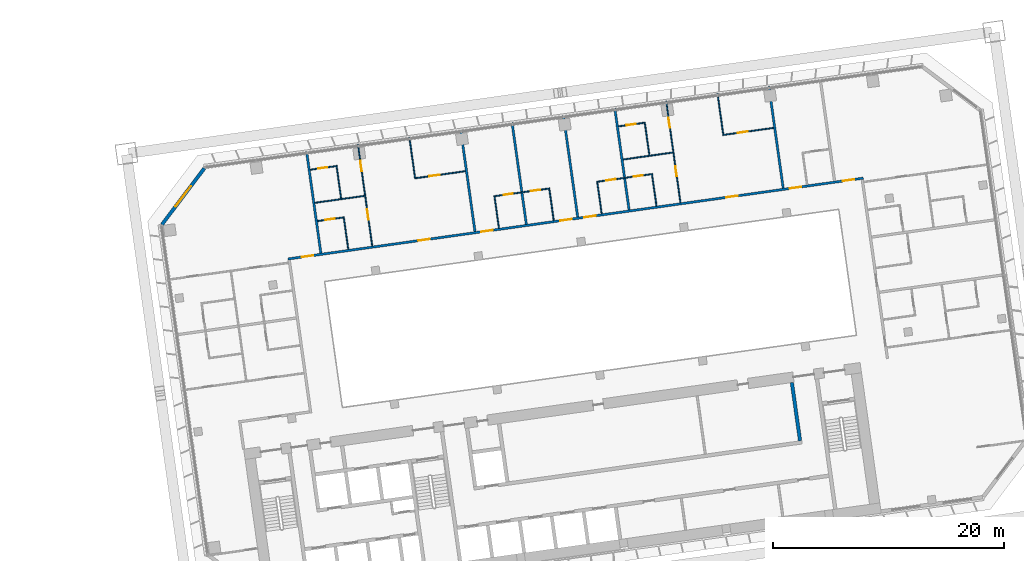
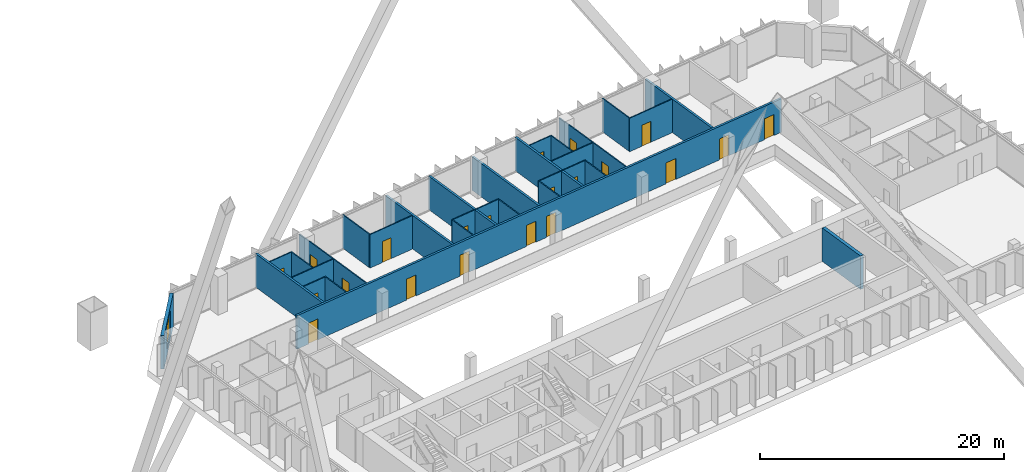
# One storey, part 45 of 49: 29 walls, 21 doors, 1 window, 22 openings.
"""IFC4 building model written with IfcOpenShell, lengths in metres."""

import ifcopenshell
import ifcopenshell.guid

model = None  # the IFC model being written
_history = None  # IfcOwnerHistory: only IFC2X3 demands one
_inside = {}  # id of a spatial element -> (the spatial element, [elements in it])
_under = {}  # id of a project, library or spatial element -> (it, [spatial elements below it])
_declared = {}  # id of a project -> (the project, [libraries it declares])
_typed = {}  # id of a type object -> (the type object, [elements of that type])
_made_of = {}  # id of a material, layer set ... -> (it, [elements and type objects made of it])


def new_model(schema):
    """Start an empty IFC model of exactly this schema.

    Asked for "IFC4X3", IfcOpenShell would pick the latest addendum, in which some entities
    have other attributes; the version numbers below select the first issue.
    IFC2X3 requires an IfcOwnerHistory on every rooted entity: one is made here for all.
    """
    global model, _history
    if schema == "IFC4X3":
        model = ifcopenshell.file(schema_version=(4, 3, 0, 0))
    else:
        model = ifcopenshell.file(schema=schema)
    _inside.clear()
    _under.clear()
    _declared.clear()
    _typed.clear()
    _made_of.clear()
    _history = None
    if model.schema == "IFC2X3":
        org = make("IfcOrganization", Name="unknown")
        user = make(
            "IfcPersonAndOrganization",
            ThePerson=make("IfcPerson", FamilyName="unknown"),
            TheOrganization=org,
        )
        app = make(
            "IfcApplication",
            ApplicationDeveloper=org,
            Version="unknown",
            ApplicationFullName="unknown",
            ApplicationIdentifier="unknown",
        )
        _history = make(
            "IfcOwnerHistory",
            OwningUser=user,
            OwningApplication=app,
            ChangeAction="ADDED",
            CreationDate=0,
        )
    return model


def make(cls, **values):
    """One entity of the class cls with the attributes given. An attribute that is None is left unset."""
    return model.create_entity(
        cls, **{name: value for name, value in values.items() if value is not None}
    )


def rooted(cls, **values):
    """An entity with a GlobalId (a new one), such as an element, a storey or a relation."""
    return make(cls, GlobalId=ifcopenshell.guid.new(), OwnerHistory=_history, **values)


def si_unit(unit_type, name, prefix=None):
    """IfcSIUnit, for example si_unit("LENGTHUNIT", "METRE", prefix="MILLI")."""
    return make("IfcSIUnit", UnitType=unit_type, Prefix=prefix, Name=name)


def assignment(units):
    """IfcUnitAssignment: the units of a project."""
    return None if units is None else make("IfcUnitAssignment", Units=units)


def point(xyz):
    """IfcCartesianPoint."""
    return None if xyz is None else make("IfcCartesianPoint", Coordinates=xyz)


def direction(xyz):
    """IfcDirection."""
    return None if xyz is None else make("IfcDirection", DirectionRatios=xyz)


def frame(location, z_axis=None, x_axis=None):
    """IfcAxis2Placement3D, a coordinate frame: its origin and axes. An axis left out is left unset."""
    return make(
        "IfcAxis2Placement3D",
        Location=point(location),
        Axis=direction(z_axis),
        RefDirection=direction(x_axis),
    )


def frame_2d(location, x_axis=None):
    """IfcAxis2Placement2D, a coordinate frame in the plane: its origin and x axis."""
    return make(
        "IfcAxis2Placement2D", Location=point(location), RefDirection=direction(x_axis)
    )


def origin():
    """The frame at (0, 0, 0) with its axes left unset."""
    return frame((0.0, 0.0, 0.0))


def place(relative_to, where):
    """IfcLocalPlacement: puts the frame where relative to a parent placement (None: the world)."""
    return make(
        "IfcLocalPlacement", PlacementRelTo=relative_to, RelativePlacement=where
    )


def context(
    kind, dimensions, precision=None, world=None, true_north=None, identifier=None
):
    """IfcGeometricRepresentationContext, for example the 3D "Model" context."""
    return make(
        "IfcGeometricRepresentationContext",
        ContextIdentifier=identifier,
        ContextType=kind,
        CoordinateSpaceDimension=dimensions,
        Precision=precision,
        WorldCoordinateSystem=world,
        TrueNorth=true_north,
    )


def subcontext(parent, identifier, kind, view, scale=None):
    """IfcGeometricRepresentationSubContext, for example "Body" below "Model"."""
    return make(
        "IfcGeometricRepresentationSubContext",
        ContextIdentifier=identifier,
        ContextType=kind,
        ParentContext=parent,
        TargetScale=scale,
        TargetView=view,
    )


def project(units=None, contexts=None):
    """IfcProject with its units and contexts."""
    return rooted(
        "IfcProject",
        Name="project",
        RepresentationContexts=contexts,
        UnitsInContext=assignment(units),
    )


def spatial(cls, under=None, at=None, **own):
    """A site, building, storey or space (cls), placed at a placement, below another one or the project."""
    s = rooted(cls, ObjectPlacement=at, **own)
    if under is not None:
        _under.setdefault(under.id(), (under, []))[1].append(s)
    return s


def profile(cls, at=None, kind="AREA", **sizes):
    """A parametric profile (cls). Its sizes go by their IFC names, for example OverallWidth=200.0."""
    return make(cls, ProfileType=kind, Position=at, **sizes)


def rectangle(**sizes):
    """IfcRectangleProfileDef."""
    return profile("IfcRectangleProfileDef", **sizes)


def extrude(swept, where, along, depth):
    """IfcExtrudedAreaSolid: the profile swept, set in the frame where, extruded along a direction by depth."""
    return make(
        "IfcExtrudedAreaSolid",
        SweptArea=swept,
        Position=where,
        ExtrudedDirection=direction(along),
        Depth=depth,
    )


def shape(context_of_items, identifier, shape_type, items):
    """IfcShapeRepresentation: the items that make up one representation, for example the "Body"."""
    return make(
        "IfcShapeRepresentation",
        ContextOfItems=context_of_items,
        RepresentationIdentifier=identifier,
        RepresentationType=shape_type,
        Items=items,
    )


def material(Name=None, Category=None):
    """IfcMaterial."""
    return make("IfcMaterial", Name=Name, Category=Category)


def layer(
    of_material, thickness, ventilated=None, Name=None, Category=None, Priority=None
):
    """IfcMaterialLayer: one layer of a wall or slab, of a material (None: an air gap)."""
    return make(
        "IfcMaterialLayer",
        Material=of_material,
        LayerThickness=thickness,
        IsVentilated=ventilated,
        Name=Name,
        Category=Category,
        Priority=Priority,
    )


def layer_set(layers, Name=None):
    """IfcMaterialLayerSet."""
    return make("IfcMaterialLayerSet", MaterialLayers=layers, LayerSetName=Name)


def made_of(thing, what):
    """Note that an element or type object is made of a material, layer set ...; save() writes the relation."""
    if what is not None:
        _made_of.setdefault(what.id(), (what, []))[1].append(thing)
    return thing


def type_object(cls, material=None, **own):
    """A type object (cls), such as IfcWallType, which elements share."""
    return made_of(rooted(cls, **own), material)


def element(
    cls,
    number,
    at=None,
    inside=None,
    cuts=None,
    type_object=None,
    material=None,
    context=None,
    identifier="Body",
    shape_type=None,
    held_by="IfcProductDefinitionShape",
    body=None,
    shapes=None,
    **own,
):
    """One element of the class cls, such as IfcWall. Its Tag is "e" and its number.

    at: its placement. inside: the storey or other place that contains it. cuts: it is an
    opening in that element (IfcRelVoidsElement). A single representation is given by context,
    identifier, shape_type and body (its items); several are given by shapes. held_by: the class
    of the entity that holds the representations. save() writes the other relations.
    """
    e = rooted(cls, Tag="e%d" % number, ObjectPlacement=at, **own)
    if body is not None:
        shapes = [shape(context, identifier, shape_type, body)]
    if shapes is not None:
        e.Representation = make(held_by, Representations=shapes)
    if inside is not None:
        _inside.setdefault(inside.id(), (inside, []))[1].append(e)
    if cuts is not None:
        rooted(
            "IfcRelVoidsElement", RelatingBuildingElement=cuts, RelatedOpeningElement=e
        )
    if type_object is not None:
        _typed.setdefault(type_object.id(), (type_object, []))[1].append(e)
    return made_of(e, material)


def fill(opening, filler):
    """IfcRelFillsElement: the door or window that sits in an opening."""
    return rooted(
        "IfcRelFillsElement",
        RelatingOpeningElement=opening,
        RelatedBuildingElement=filler,
    )


def aggregate(whole, parts):
    """IfcRelAggregates: a whole, such as a stair, and the parts it consists of."""
    return rooted("IfcRelAggregates", RelatingObject=whole, RelatedObjects=parts)


def save(model, path):
    """Write the relations noted so far, then the file.

    IfcRelAggregates (storeys below a building ...), IfcRelContainedInSpatialStructure (elements
    in a storey), IfcRelDefinesByType, IfcRelAssociatesMaterial and IfcRelDeclares: one each for
    every whole, place, type object, material and project.
    """
    for whole, parts in _under.values():
        aggregate(whole, parts)
    for where, things in _inside.values():
        rooted(
            "IfcRelContainedInSpatialStructure",
            RelatedElements=things,
            RelatingStructure=where,
        )
    for kind, things in _typed.values():
        rooted("IfcRelDefinesByType", RelatedObjects=things, RelatingType=kind)
    for what, things in _made_of.values():
        rooted("IfcRelAssociatesMaterial", RelatedObjects=things, RelatingMaterial=what)
    for by, libraries in _declared.values():
        rooted("IfcRelDeclares", RelatingContext=by, RelatedDefinitions=libraries)
    model.write(path)


model = new_model("IFC4")

# Units and contexts
model_context = context("Model", 3, precision=1e-05, world=origin(), true_north=direction((0.0, 1.0)))
body_context = subcontext(model_context, "Body", "Model", "MODEL_VIEW")
ifc_project = project(units=[si_unit("LENGTHUNIT", "METRE"), si_unit("AREAUNIT", "SQUARE_METRE"), si_unit("VOLUMEUNIT", "CUBIC_METRE"), si_unit("PLANEANGLEUNIT", "RADIAN"), si_unit("MASSUNIT", "GRAM", prefix="KILO")], contexts=[model_context])

# Site, building, storey
site_placement = place(None, origin())
site = spatial("IfcSite", under=ifc_project, at=site_placement, CompositionType="ELEMENT")
building_placement = place(site_placement, origin())
building = spatial("IfcBuilding", under=site, at=building_placement, Name="Mirante Cascada Hotel Towers", CompositionType="ELEMENT")
storey_placement = place(building_placement, frame((0.0, 0.0, 66.1)))
storey = spatial("IfcBuildingStorey", under=building, at=storey_placement, Name="L13", CompositionType="ELEMENT", Elevation=66.1)

# Wall, openings, doors
ifc_material_1 = material(Name="Fire-rated plasterboard on metal studs")
ifc_layer_1 = layer(ifc_material_1, 0.2)
ifc_layer_set_1 = layer_set([ifc_layer_1], Name="Compartment wall 200 EI 120")
wall_type_1 = type_object("IfcWallType", Name="Compartment wall 200 EI 120", PredefinedType="PARTITIONING", material=ifc_layer_set_1)
wall_1_placement = place(storey_placement, frame((39.1051, 9.3779, 0.0), z_axis=(0.0, 0.0, 1.0), x_axis=(0.9902681, 0.1391727, 0.0)))
wall_1 = element("IfcWall", 1, at=wall_1_placement, inside=storey, type_object=wall_type_1, Name="Wall 2-L13-20", PredefinedType="PARTITIONING", context=body_context, shape_type="SweptSolid", body=[
    extrude(rectangle(XDim=50.4, YDim=0.2, at=frame_2d((25.2, 0.0))), origin(), (0.0, 0.0, 1.0), 3.35),
])
opening_1_placement = place(wall_1_placement, frame((1.2, 0.0, 0.0)))
opening_1 = element("IfcOpeningElement", 2, at=opening_1_placement, cuts=wall_1, Name="Opening D2-L13-12", PredefinedType="OPENING", context=body_context, shape_type="SweptSolid", body=[
    extrude(rectangle(XDim=1.0, YDim=2.1, at=frame_2d((0.5, 1.05))), frame((0.0, 0.1, 0.0), z_axis=(0.0, -1.0, 0.0), x_axis=(1.0, 0.0, 0.0)), (0.0, 0.0, 1.0), 0.2),
])
opening_2_placement = place(wall_1_placement, frame((11.4, 0.0, 0.0)))
opening_2 = element("IfcOpeningElement", 3, at=opening_2_placement, cuts=wall_1, Name="Opening D2-L13-13", PredefinedType="OPENING", context=body_context, shape_type="SweptSolid", body=[
    extrude(rectangle(XDim=1.0, YDim=2.1, at=frame_2d((0.5, 1.05))), frame((0.0, 0.1, 0.0), z_axis=(0.0, -1.0, 0.0), x_axis=(1.0, 0.0, 0.0)), (0.0, 0.0, 1.0), 0.2),
])
opening_3_placement = place(wall_1_placement, frame((16.95, 0.0, 0.0)))
opening_3 = element("IfcOpeningElement", 4, at=opening_3_placement, cuts=wall_1, Name="Opening D2-L13-14", PredefinedType="OPENING", context=body_context, shape_type="SweptSolid", body=[
    extrude(rectangle(XDim=1.0, YDim=2.1, at=frame_2d((0.5, 1.05))), frame((0.0, 0.1, 0.0), z_axis=(0.0, -1.0, 0.0), x_axis=(1.0, 0.0, 0.0)), (0.0, 0.0, 1.0), 0.2),
])
opening_4_placement = place(wall_1_placement, frame((23.85, 0.0, 0.0)))
opening_4 = element("IfcOpeningElement", 5, at=opening_4_placement, cuts=wall_1, Name="Opening D2-L13-15", PredefinedType="OPENING", context=body_context, shape_type="SweptSolid", body=[
    extrude(rectangle(XDim=1.0, YDim=2.1, at=frame_2d((0.5, 1.05))), frame((0.0, 0.1, 0.0), z_axis=(0.0, -1.0, 0.0), x_axis=(1.0, 0.0, 0.0)), (0.0, 0.0, 1.0), 0.2),
])
opening_5_placement = place(wall_1_placement, frame((25.95, 0.0, 0.0)))
opening_5 = element("IfcOpeningElement", 6, at=opening_5_placement, cuts=wall_1, Name="Opening D2-L13-16", PredefinedType="OPENING", context=body_context, shape_type="SweptSolid", body=[
    extrude(rectangle(XDim=1.0, YDim=2.1, at=frame_2d((0.5, 1.05))), frame((0.0, 0.1, 0.0), z_axis=(0.0, -1.0, 0.0), x_axis=(1.0, 0.0, 0.0)), (0.0, 0.0, 1.0), 0.2),
])
opening_6_placement = place(wall_1_placement, frame((38.4, 0.0, 0.0)))
opening_6 = element("IfcOpeningElement", 7, at=opening_6_placement, cuts=wall_1, Name="Opening D2-L13-17", PredefinedType="OPENING", context=body_context, shape_type="SweptSolid", body=[
    extrude(rectangle(XDim=1.0, YDim=2.1, at=frame_2d((0.5, 1.05))), frame((0.0, 0.1, 0.0), z_axis=(0.0, -1.0, 0.0), x_axis=(1.0, 0.0, 0.0)), (0.0, 0.0, 1.0), 0.2),
])
opening_7_placement = place(wall_1_placement, frame((43.95, 0.0, 0.0)))
opening_7 = element("IfcOpeningElement", 8, at=opening_7_placement, cuts=wall_1, Name="Opening D2-L13-18", PredefinedType="OPENING", context=body_context, shape_type="SweptSolid", body=[
    extrude(rectangle(XDim=1.0, YDim=2.1, at=frame_2d((0.5, 1.05))), frame((0.0, 0.1, 0.0), z_axis=(0.0, -1.0, 0.0), x_axis=(1.0, 0.0, 0.0)), (0.0, 0.0, 1.0), 0.2),
])
opening_8_placement = place(wall_1_placement, frame((48.6, 0.0, 0.0)))
opening_8 = element("IfcOpeningElement", 9, at=opening_8_placement, cuts=wall_1, Name="Opening D2-L13-19", PredefinedType="OPENING", context=body_context, shape_type="SweptSolid", body=[
    extrude(rectangle(XDim=1.0, YDim=2.1, at=frame_2d((0.5, 1.05))), frame((0.0, 0.1, 0.0), z_axis=(0.0, -1.0, 0.0), x_axis=(1.0, 0.0, 0.0)), (0.0, 0.0, 1.0), 0.2),
])
ifc_material_2 = material(Name="Fire-rated timber door leaf", Category="wood")
door_type_1 = type_object("IfcDoorType", Name="Entrance door DG1 1000x2100 EI 60", OperationType="SINGLE_SWING_LEFT", PredefinedType="DOOR", material=ifc_material_2)
door_1_placement = place(opening_1_placement, origin())
door_1 = element("IfcDoor", 10, at=door_1_placement, inside=storey, type_object=door_type_1, Name="Door D2-L13-12", OperationType="SINGLE_SWING_LEFT", OverallHeight=2.1, OverallWidth=1.0, PredefinedType="DOOR", context=body_context, shape_type="SweptSolid", body=[
    extrude(rectangle(XDim=1.0, YDim=2.1, at=frame_2d((0.5, 1.05))), frame((0.0, 0.025, 0.0), z_axis=(0.0, -1.0, 0.0), x_axis=(1.0, 0.0, 0.0)), (0.0, 0.0, 1.0), 0.05),
])
fill(opening_1, door_1)
door_2_placement = place(opening_2_placement, origin())
door_2 = element("IfcDoor", 11, at=door_2_placement, inside=storey, type_object=door_type_1, Name="Door D2-L13-13", OperationType="SINGLE_SWING_LEFT", OverallHeight=2.1, OverallWidth=1.0, PredefinedType="DOOR", context=body_context, shape_type="SweptSolid", body=[
    extrude(rectangle(XDim=1.0, YDim=2.1, at=frame_2d((0.5, 1.05))), frame((0.0, 0.025, 0.0), z_axis=(0.0, -1.0, 0.0), x_axis=(1.0, 0.0, 0.0)), (0.0, 0.0, 1.0), 0.05),
])
fill(opening_2, door_2)
door_3_placement = place(opening_3_placement, origin())
door_3 = element("IfcDoor", 12, at=door_3_placement, inside=storey, type_object=door_type_1, Name="Door D2-L13-14", OperationType="SINGLE_SWING_LEFT", OverallHeight=2.1, OverallWidth=1.0, PredefinedType="DOOR", context=body_context, shape_type="SweptSolid", body=[
    extrude(rectangle(XDim=1.0, YDim=2.1, at=frame_2d((0.5, 1.05))), frame((0.0, 0.025, 0.0), z_axis=(0.0, -1.0, 0.0), x_axis=(1.0, 0.0, 0.0)), (0.0, 0.0, 1.0), 0.05),
])
fill(opening_3, door_3)
door_4_placement = place(opening_4_placement, origin())
door_4 = element("IfcDoor", 13, at=door_4_placement, inside=storey, type_object=door_type_1, Name="Door D2-L13-15", OperationType="SINGLE_SWING_LEFT", OverallHeight=2.1, OverallWidth=1.0, PredefinedType="DOOR", context=body_context, shape_type="SweptSolid", body=[
    extrude(rectangle(XDim=1.0, YDim=2.1, at=frame_2d((0.5, 1.05))), frame((0.0, 0.025, 0.0), z_axis=(0.0, -1.0, 0.0), x_axis=(1.0, 0.0, 0.0)), (0.0, 0.0, 1.0), 0.05),
])
fill(opening_4, door_4)
door_5_placement = place(opening_5_placement, origin())
door_5 = element("IfcDoor", 14, at=door_5_placement, inside=storey, type_object=door_type_1, Name="Door D2-L13-16", OperationType="SINGLE_SWING_LEFT", OverallHeight=2.1, OverallWidth=1.0, PredefinedType="DOOR", context=body_context, shape_type="SweptSolid", body=[
    extrude(rectangle(XDim=1.0, YDim=2.1, at=frame_2d((0.5, 1.05))), frame((0.0, 0.025, 0.0), z_axis=(0.0, -1.0, 0.0), x_axis=(1.0, 0.0, 0.0)), (0.0, 0.0, 1.0), 0.05),
])
fill(opening_5, door_5)
door_6_placement = place(opening_6_placement, origin())
door_6 = element("IfcDoor", 15, at=door_6_placement, inside=storey, type_object=door_type_1, Name="Door D2-L13-17", OperationType="SINGLE_SWING_LEFT", OverallHeight=2.1, OverallWidth=1.0, PredefinedType="DOOR", context=body_context, shape_type="SweptSolid", body=[
    extrude(rectangle(XDim=1.0, YDim=2.1, at=frame_2d((0.5, 1.05))), frame((0.0, 0.025, 0.0), z_axis=(0.0, -1.0, 0.0), x_axis=(1.0, 0.0, 0.0)), (0.0, 0.0, 1.0), 0.05),
])
fill(opening_6, door_6)
door_7_placement = place(opening_7_placement, origin())
door_7 = element("IfcDoor", 16, at=door_7_placement, inside=storey, type_object=door_type_1, Name="Door D2-L13-18", OperationType="SINGLE_SWING_LEFT", OverallHeight=2.1, OverallWidth=1.0, PredefinedType="DOOR", context=body_context, shape_type="SweptSolid", body=[
    extrude(rectangle(XDim=1.0, YDim=2.1, at=frame_2d((0.5, 1.05))), frame((0.0, 0.025, 0.0), z_axis=(0.0, -1.0, 0.0), x_axis=(1.0, 0.0, 0.0)), (0.0, 0.0, 1.0), 0.05),
])
fill(opening_7, door_7)
door_8_placement = place(opening_8_placement, origin())
door_8 = element("IfcDoor", 17, at=door_8_placement, inside=storey, type_object=door_type_1, Name="Door D2-L13-19", OperationType="SINGLE_SWING_LEFT", OverallHeight=2.1, OverallWidth=1.0, PredefinedType="DOOR", context=body_context, shape_type="SweptSolid", body=[
    extrude(rectangle(XDim=1.0, YDim=2.1, at=frame_2d((0.5, 1.05))), frame((0.0, 0.025, 0.0), z_axis=(0.0, -1.0, 0.0), x_axis=(1.0, 0.0, 0.0)), (0.0, 0.0, 1.0), 0.05),
])
fill(opening_8, door_8)

# Walls
for number, where, z_axis, x_axis, name in (
    (18, (41.963, 9.8805, 0.0), (0.0, 0.0, 1.0), (-0.1391794, 0.9902672, 0.0), "Wall 2-L13-36"),
    (19, (54.0929, 20.5728, 0.0), (0.0, 0.0, 1.0), (0.1391794, -0.9902672, 0.0), "Wall 2-L13-41"),
):
    element("IfcWall", number, at=place(storey_placement, frame(where, z_axis=z_axis, x_axis=x_axis)), inside=storey, type_object=wall_type_1, Name=name, PredefinedType="PARTITIONING", context=body_context, shape_type="SweptSolid", body=[
        extrude(rectangle(XDim=8.9, YDim=0.2, at=frame_2d((4.45, 0.0))), origin(), (0.0, 0.0, 1.0), 3.35),
    ])
wall_2_placement = place(storey_placement, frame((58.5492, 21.199, 0.0), z_axis=(0.0, 0.0, 1.0), x_axis=(0.13917, -0.9902685, 0.0)))
element("IfcWall", 20, at=wall_2_placement, inside=storey, type_object=wall_type_1, Name="Wall 2-L13-43", PredefinedType="PARTITIONING", context=body_context, shape_type="SweptSolid", body=[
    extrude(rectangle(XDim=8.8999, YDim=0.2, at=frame_2d((4.45, 0.0))), origin(), (0.0, 0.0, 1.0), 3.35),
])
for number, where, z_axis, x_axis, name in (
    (21, (63.0054, 21.8253, 0.0), (0.0, 0.0, 1.0), (0.1391684, -0.9902687, 0.0), "Wall 2-L13-45"),
    (22, (67.4616, 22.4516, 0.0), (0.0, 0.0, 1.0), (0.1391684, -0.9902687, 0.0), "Wall 2-L13-47"),
):
    element("IfcWall", number, at=place(storey_placement, frame(where, z_axis=z_axis, x_axis=x_axis)), inside=storey, type_object=wall_type_1, Name=name, PredefinedType="PARTITIONING", context=body_context, shape_type="SweptSolid", body=[
        extrude(rectangle(XDim=8.9, YDim=0.2, at=frame_2d((4.45, 0.0))), origin(), (0.0, 0.0, 1.0), 3.35),
    ])
wall_3_placement = place(storey_placement, frame((82.0688, 15.5171, 0.0), z_axis=(0.0, 0.0, 1.0), x_axis=(-0.13917, 0.9902685, 0.0)))
element("IfcWall", 23, at=wall_3_placement, inside=storey, type_object=wall_type_1, Name="Wall 2-L13-52", PredefinedType="PARTITIONING", context=body_context, shape_type="SweptSolid", body=[
    extrude(rectangle(XDim=8.8999, YDim=0.2, at=frame_2d((4.45, 0.0))), origin(), (0.0, 0.0, 1.0), 3.35),
])

# Wall, opening, door
ifc_material_3 = material(Name="Plasterboard on metal studs")
ifc_layer_2 = layer(ifc_material_3, 0.1)
ifc_layer_set_2 = layer_set([ifc_layer_2], Name="Partition 100")
wall_type_2 = type_object("IfcWallType", Name="Partition 100", PredefinedType="PARTITIONING", material=ifc_layer_set_2)
wall_4_placement = place(storey_placement, frame((43.9004, 12.9804, 0.0), z_axis=(0.0, 0.0, 1.0), x_axis=(-0.9902643, -0.1391997, 0.0)))
wall_4 = element("IfcWall", 24, at=wall_4_placement, inside=storey, type_object=wall_type_2, Name="Wall 2-L13-21", PredefinedType="PARTITIONING", context=body_context, shape_type="SweptSolid", body=[
    extrude(rectangle(XDim=2.25, YDim=0.1, at=frame_2d((1.125, 0.0))), origin(), (0.0, 0.0, 1.0), 3.35),
])
opening_9_placement = place(wall_4_placement, frame((0.75, 0.0, 0.0)))
opening_9 = element("IfcOpeningElement", 25, at=opening_9_placement, cuts=wall_4, Name="Opening D2-L13-20", PredefinedType="OPENING", context=body_context, shape_type="SweptSolid", body=[
    extrude(rectangle(XDim=0.8, YDim=2.1, at=frame_2d((0.4, 1.05))), frame((0.0, 0.05, 0.0), z_axis=(0.0, -1.0, 0.0), x_axis=(1.0, 0.0, 0.0)), (0.0, 0.0, 1.0), 0.1),
])
ifc_material_4 = material(Name="Timber door leaf", Category="wood")
door_type_2 = type_object("IfcDoorType", Name="Bathroom door DG4 800x2100", OperationType="SINGLE_SWING_LEFT", PredefinedType="DOOR", material=ifc_material_4)
door_9_placement = place(opening_9_placement, origin())
door_9 = element("IfcDoor", 26, at=door_9_placement, inside=storey, type_object=door_type_2, Name="Door D2-L13-20", OperationType="SINGLE_SWING_LEFT", OverallHeight=2.1, OverallWidth=0.8, PredefinedType="DOOR", context=body_context, shape_type="SweptSolid", body=[
    extrude(rectangle(XDim=0.8, YDim=2.1, at=frame_2d((0.4, 1.05))), frame((0.0, 0.025, 0.0), z_axis=(0.0, -1.0, 0.0), x_axis=(1.0, 0.0, 0.0)), (0.0, 0.0, 1.0), 0.05),
])
fill(opening_9, door_9)

# Wall, openings, doors
wall_5_placement = place(storey_placement, frame((56.972, 14.8174, 0.0), z_axis=(0.0, 0.0, 1.0), x_axis=(0.9902666, 0.1391838, 0.0)))
wall_5 = element("IfcWall", 27, at=wall_5_placement, inside=storey, type_object=wall_type_2, Name="Wall 2-L13-22", PredefinedType="PARTITIONING", context=body_context, shape_type="SweptSolid", body=[
    extrude(rectangle(XDim=4.9, YDim=0.1, at=frame_2d((2.45, 0.0))), origin(), (0.0, 0.0, 1.0), 3.35),
])
opening_10_placement = place(wall_5_placement, frame((0.85, 0.0, 0.0)))
opening_10 = element("IfcOpeningElement", 28, at=opening_10_placement, cuts=wall_5, Name="Opening D2-L13-21", PredefinedType="OPENING", context=body_context, shape_type="SweptSolid", body=[
    extrude(rectangle(XDim=0.8, YDim=2.1, at=frame_2d((0.4, 1.05))), frame((0.0, 0.05, 0.0), z_axis=(0.0, -1.0, 0.0), x_axis=(1.0, 0.0, 0.0)), (0.0, 0.0, 1.0), 0.1),
])
opening_11_placement = place(wall_5_placement, frame((3.25, 0.0, 0.0)))
opening_11 = element("IfcOpeningElement", 29, at=opening_11_placement, cuts=wall_5, Name="Opening D2-L13-22", PredefinedType="OPENING", context=body_context, shape_type="SweptSolid", body=[
    extrude(rectangle(XDim=0.8, YDim=2.1, at=frame_2d((0.4, 1.05))), frame((0.0, 0.05, 0.0), z_axis=(0.0, -1.0, 0.0), x_axis=(1.0, 0.0, 0.0)), (0.0, 0.0, 1.0), 0.1),
])
door_10_placement = place(opening_10_placement, origin())
door_10 = element("IfcDoor", 30, at=door_10_placement, inside=storey, type_object=door_type_2, Name="Door D2-L13-21", OperationType="SINGLE_SWING_LEFT", OverallHeight=2.1, OverallWidth=0.8, PredefinedType="DOOR", context=body_context, shape_type="SweptSolid", body=[
    extrude(rectangle(XDim=0.8, YDim=2.1, at=frame_2d((0.4, 1.05))), frame((0.0, 0.025, 0.0), z_axis=(0.0, -1.0, 0.0), x_axis=(1.0, 0.0, 0.0)), (0.0, 0.0, 1.0), 0.05),
])
fill(opening_10, door_10)
door_11_placement = place(opening_11_placement, origin())
door_11 = element("IfcDoor", 31, at=door_11_placement, inside=storey, type_object=door_type_2, Name="Door D2-L13-22", OperationType="SINGLE_SWING_LEFT", OverallHeight=2.1, OverallWidth=0.8, PredefinedType="DOOR", context=body_context, shape_type="SweptSolid", body=[
    extrude(rectangle(XDim=0.8, YDim=2.1, at=frame_2d((0.4, 1.05))), frame((0.0, 0.025, 0.0), z_axis=(0.0, -1.0, 0.0), x_axis=(1.0, 0.0, 0.0)), (0.0, 0.0, 1.0), 0.05),
])
fill(opening_11, door_11)

wall_6_placement = place(storey_placement, frame((70.7367, 16.7519, 0.0), z_axis=(0.0, 0.0, 1.0), x_axis=(-0.9902694, -0.1391638, 0.0)))
wall_6 = element("IfcWall", 32, at=wall_6_placement, inside=storey, type_object=wall_type_2, Name="Wall 2-L13-23", PredefinedType="PARTITIONING", context=body_context, shape_type="SweptSolid", body=[
    extrude(rectangle(XDim=4.9, YDim=0.1, at=frame_2d((2.45, 0.0))), origin(), (0.0, 0.0, 1.0), 3.35),
])
opening_12_placement = place(wall_6_placement, frame((3.25, 0.0, 0.0)))
opening_12 = element("IfcOpeningElement", 33, at=opening_12_placement, cuts=wall_6, Name="Opening D2-L13-23", PredefinedType="OPENING", context=body_context, shape_type="SweptSolid", body=[
    extrude(rectangle(XDim=0.8, YDim=2.1, at=frame_2d((0.4, 1.05))), frame((0.0, 0.05, 0.0), z_axis=(0.0, -1.0, 0.0), x_axis=(1.0, 0.0, 0.0)), (0.0, 0.0, 1.0), 0.1),
])
opening_13_placement = place(wall_6_placement, frame((0.85, 0.0, 0.0)))
opening_13 = element("IfcOpeningElement", 34, at=opening_13_placement, cuts=wall_6, Name="Opening D2-L13-24", PredefinedType="OPENING", context=body_context, shape_type="SweptSolid", body=[
    extrude(rectangle(XDim=0.8, YDim=2.1, at=frame_2d((0.4, 1.05))), frame((0.0, 0.05, 0.0), z_axis=(0.0, -1.0, 0.0), x_axis=(1.0, 0.0, 0.0)), (0.0, 0.0, 1.0), 0.1),
])
door_12_placement = place(opening_12_placement, frame((0.8, 0.0, 0.0), z_axis=(0.0, 0.0, 1.0), x_axis=(-1.0, 0.0, 0.0)))
door_12 = element("IfcDoor", 35, at=door_12_placement, inside=storey, type_object=door_type_2, Name="Door D2-L13-23", OperationType="SINGLE_SWING_RIGHT", OverallHeight=2.1, OverallWidth=0.8, PredefinedType="DOOR", context=body_context, shape_type="SweptSolid", body=[
    extrude(rectangle(XDim=0.8, YDim=2.1, at=frame_2d((0.4, 1.05))), frame((0.0, 0.025, 0.0), z_axis=(0.0, -1.0, 0.0), x_axis=(1.0, 0.0, 0.0)), (0.0, 0.0, 1.0), 0.05),
])
fill(opening_12, door_12)
door_13_placement = place(opening_13_placement, origin())
door_13 = element("IfcDoor", 36, at=door_13_placement, inside=storey, type_object=door_type_2, Name="Door D2-L13-24", OperationType="SINGLE_SWING_LEFT", OverallHeight=2.1, OverallWidth=0.8, PredefinedType="DOOR", context=body_context, shape_type="SweptSolid", body=[
    extrude(rectangle(XDim=0.8, YDim=2.1, at=frame_2d((0.4, 1.05))), frame((0.0, 0.025, 0.0), z_axis=(0.0, -1.0, 0.0), x_axis=(1.0, 0.0, 0.0)), (0.0, 0.0, 1.0), 0.05),
])
fill(opening_13, door_13)

# Walls
wall_7_placement = place(storey_placement, frame((45.7573, 14.857, 0.0), z_axis=(0.0, 0.0, 1.0), x_axis=(-0.9902683, -0.1391714, 0.0)))
element("IfcWall", 37, at=wall_7_placement, inside=storey, type_object=wall_type_2, Name="Wall 2-L13-25", PredefinedType="PARTITIONING", context=body_context, shape_type="SweptSolid", body=[
    extrude(rectangle(XDim=4.35, YDim=0.1, at=frame_2d((2.175, 0.0))), origin(), (0.0, 0.0, 1.0), 3.35),
])
wall_8_placement = place(storey_placement, frame((68.1869, 18.0093, 0.0), z_axis=(0.0, 0.0, 1.0), x_axis=(0.9902679, 0.1391745, 0.0)))
element("IfcWall", 38, at=wall_8_placement, inside=storey, type_object=wall_type_2, Name="Wall 2-L13-26", PredefinedType="PARTITIONING", context=body_context, shape_type="SweptSolid", body=[
    extrude(rectangle(XDim=4.3499, YDim=0.1, at=frame_2d((2.175, 0.0))), origin(), (0.0, 0.0, 1.0), 3.35),
])

# Wall, opening, door
wall_9_placement = place(storey_placement, frame((54.4949, 16.9939, 0.0), z_axis=(0.0, 0.0, 1.0), x_axis=(-0.9902683, -0.1391715, 0.0)))
wall_9 = element("IfcWall", 39, at=wall_9_placement, inside=storey, type_object=wall_type_2, Name="Wall 2-L13-27", PredefinedType="PARTITIONING", context=body_context, shape_type="SweptSolid", body=[
    extrude(rectangle(XDim=4.4499, YDim=0.1, at=frame_2d((2.225, 0.0))), origin(), (0.0, 0.0, 1.0), 3.35),
])
opening_14_placement = place(wall_9_placement, frame((2.25, 0.0, 0.0)))
opening_14 = element("IfcOpeningElement", 40, at=opening_14_placement, cuts=wall_9, Name="Opening D2-L13-26", PredefinedType="OPENING", context=body_context, shape_type="SweptSolid", body=[
    extrude(rectangle(XDim=0.9, YDim=2.1, at=frame_2d((0.45, 1.05))), frame((0.0, 0.05, 0.0), z_axis=(0.0, -1.0, 0.0), x_axis=(1.0, 0.0, 0.0)), (0.0, 0.0, 1.0), 0.1),
])
ifc_material_5 = material(Name="Timber door leaf", Category="wood")
door_type_3 = type_object("IfcDoorType", Name="Room door DG3 900x2100", OperationType="SINGLE_SWING_LEFT", PredefinedType="DOOR", material=ifc_material_5)
door_14_placement = place(opening_14_placement, origin())
door_14 = element("IfcDoor", 41, at=door_14_placement, inside=storey, type_object=door_type_3, Name="Door D2-L13-26", OperationType="SINGLE_SWING_LEFT", OverallHeight=2.1, OverallWidth=0.9, PredefinedType="DOOR", context=body_context, shape_type="SweptSolid", body=[
    extrude(rectangle(XDim=0.9, YDim=2.1, at=frame_2d((0.45, 1.05))), frame((0.0, 0.025, 0.0), z_axis=(0.0, -1.0, 0.0), x_axis=(1.0, 0.0, 0.0)), (0.0, 0.0, 1.0), 0.05),
])
fill(opening_14, door_14)

wall_10_placement = place(storey_placement, frame((76.8255, 20.1322, 0.0), z_axis=(0.0, 0.0, 1.0), x_axis=(0.9902656, 0.1391904, 0.0)))
wall_10 = element("IfcWall", 42, at=wall_10_placement, inside=storey, type_object=wall_type_2, Name="Wall 2-L13-28", PredefinedType="PARTITIONING", context=body_context, shape_type="SweptSolid", body=[
    extrude(rectangle(XDim=4.45, YDim=0.1, at=frame_2d((2.225, 0.0))), origin(), (0.0, 0.0, 1.0), 3.35),
])
opening_15_placement = place(wall_10_placement, frame((1.3, 0.0, 0.0)))
opening_15 = element("IfcOpeningElement", 43, at=opening_15_placement, cuts=wall_10, Name="Opening D2-L13-27", PredefinedType="OPENING", context=body_context, shape_type="SweptSolid", body=[
    extrude(rectangle(XDim=0.9, YDim=2.1, at=frame_2d((0.45, 1.05))), frame((0.0, 0.05, 0.0), z_axis=(0.0, -1.0, 0.0), x_axis=(1.0, 0.0, 0.0)), (0.0, 0.0, 1.0), 0.1),
])
door_15_placement = place(opening_15_placement, frame((0.9, 0.0, 0.0), z_axis=(0.0, 0.0, 1.0), x_axis=(-1.0, 0.0, 0.0)))
door_15 = element("IfcDoor", 44, at=door_15_placement, inside=storey, type_object=door_type_3, Name="Door D2-L13-27", OperationType="SINGLE_SWING_RIGHT", OverallHeight=2.1, OverallWidth=0.9, PredefinedType="DOOR", context=body_context, shape_type="SweptSolid", body=[
    extrude(rectangle(XDim=0.9, YDim=2.1, at=frame_2d((0.45, 1.05))), frame((0.0, 0.025, 0.0), z_axis=(0.0, -1.0, 0.0), x_axis=(1.0, 0.0, 0.0)), (0.0, 0.0, 1.0), 0.05),
])
fill(opening_15, door_15)

wall_11_placement = place(storey_placement, frame((43.2741, 17.4366, 0.0), z_axis=(0.0, 0.0, 1.0), x_axis=(-0.9902643, -0.1391997, 0.0)))
wall_11 = element("IfcWall", 45, at=wall_11_placement, inside=storey, type_object=wall_type_2, Name="Wall 2-L13-29", PredefinedType="PARTITIONING", context=body_context, shape_type="SweptSolid", body=[
    extrude(rectangle(XDim=2.25, YDim=0.1, at=frame_2d((1.125, 0.0))), origin(), (0.0, 0.0, 1.0), 3.35),
])
opening_16_placement = place(wall_11_placement, frame((0.75, 0.0, 0.0)))
opening_16 = element("IfcOpeningElement", 46, at=opening_16_placement, cuts=wall_11, Name="Opening D2-L13-28", PredefinedType="OPENING", context=body_context, shape_type="SweptSolid", body=[
    extrude(rectangle(XDim=0.8, YDim=2.1, at=frame_2d((0.4, 1.05))), frame((0.0, 0.05, 0.0), z_axis=(0.0, -1.0, 0.0), x_axis=(1.0, 0.0, 0.0)), (0.0, 0.0, 1.0), 0.1),
])
door_16_placement = place(opening_16_placement, origin())
door_16 = element("IfcDoor", 47, at=door_16_placement, inside=storey, type_object=door_type_2, Name="Door D2-L13-28", OperationType="SINGLE_SWING_LEFT", OverallHeight=2.1, OverallWidth=0.8, PredefinedType="DOOR", context=body_context, shape_type="SweptSolid", body=[
    extrude(rectangle(XDim=0.8, YDim=2.1, at=frame_2d((0.4, 1.05))), frame((0.0, 0.025, 0.0), z_axis=(0.0, -1.0, 0.0), x_axis=(1.0, 0.0, 0.0)), (0.0, 0.0, 1.0), 0.05),
])
fill(opening_16, door_16)

wall_12_placement = place(storey_placement, frame((67.7833, 20.8811, 0.0), z_axis=(0.0, 0.0, 1.0), x_axis=(0.9902705, 0.1391561, 0.0)))
wall_12 = element("IfcWall", 48, at=wall_12_placement, inside=storey, type_object=wall_type_2, Name="Wall 2-L13-30", PredefinedType="PARTITIONING", context=body_context, shape_type="SweptSolid", body=[
    extrude(rectangle(XDim=2.25, YDim=0.1, at=frame_2d((1.125, 0.0))), origin(), (0.0, 0.0, 1.0), 3.35),
])
opening_17_placement = place(wall_12_placement, frame((0.7, 0.0, 0.0)))
opening_17 = element("IfcOpeningElement", 49, at=opening_17_placement, cuts=wall_12, Name="Opening D2-L13-29", PredefinedType="OPENING", context=body_context, shape_type="SweptSolid", body=[
    extrude(rectangle(XDim=0.8, YDim=2.1, at=frame_2d((0.4, 1.05))), frame((0.0, 0.05, 0.0), z_axis=(0.0, -1.0, 0.0), x_axis=(1.0, 0.0, 0.0)), (0.0, 0.0, 1.0), 0.1),
])
door_17_placement = place(opening_17_placement, frame((0.8, 0.0, 0.0), z_axis=(0.0, 0.0, 1.0), x_axis=(-1.0, 0.0, 0.0)))
door_17 = element("IfcDoor", 50, at=door_17_placement, inside=storey, type_object=door_type_2, Name="Door D2-L13-29", OperationType="SINGLE_SWING_RIGHT", OverallHeight=2.1, OverallWidth=0.8, PredefinedType="DOOR", context=body_context, shape_type="SweptSolid", body=[
    extrude(rectangle(XDim=0.8, YDim=2.1, at=frame_2d((0.4, 1.05))), frame((0.0, 0.025, 0.0), z_axis=(0.0, -1.0, 0.0), x_axis=(1.0, 0.0, 0.0)), (0.0, 0.0, 1.0), 0.05),
])
fill(opening_17, door_17)

# Walls
wall_13_placement = place(storey_placement, frame((43.943, 13.0368, 0.0), z_axis=(0.0, 0.0, 1.0), x_axis=(0.1391613, -0.9902697, 0.0)))
element("IfcWall", 51, at=wall_13_placement, inside=storey, type_object=wall_type_2, Name="Wall 2-L13-37", PredefinedType="PARTITIONING", context=body_context, shape_type="SweptSolid", body=[
    extrude(rectangle(XDim=2.8499, YDim=0.1, at=frame_2d((1.425, 0.0))), origin(), (0.0, 0.0, 1.0), 3.35),
])
wall_14_placement = place(storey_placement, frame((43.7203, 14.6213, 0.0), z_axis=(0.0, 0.0, 1.0), x_axis=(-0.1391761, 0.9902676, 0.0)))
element("IfcWall", 52, at=wall_14_placement, inside=storey, type_object=wall_type_2, Name="Wall 2-L13-38", PredefinedType="PARTITIONING", context=body_context, shape_type="SweptSolid", body=[
    extrude(rectangle(XDim=2.8999, YDim=0.1, at=frame_2d((1.45, 0.0))), origin(), (0.0, 0.0, 1.0), 3.35),
])

# Wall, openings, doors
wall_15_placement = place(storey_placement, frame((45.1805, 19.3202, 0.0), z_axis=(0.0, 0.0, 1.0), x_axis=(0.1391794, -0.9902672, 0.0)))
wall_15 = element("IfcWall", 53, at=wall_15_placement, inside=storey, type_object=wall_type_2, Name="Wall 2-L13-39", PredefinedType="PARTITIONING", context=body_context, shape_type="SweptSolid", body=[
    extrude(rectangle(XDim=8.9, YDim=0.1, at=frame_2d((4.45, 0.0))), origin(), (0.0, 0.0, 1.0), 3.35),
])
opening_18_placement = place(wall_15_placement, frame((5.7, 0.0, 0.0)))
opening_18 = element("IfcOpeningElement", 54, at=opening_18_placement, cuts=wall_15, Name="Opening D2-L13-34", PredefinedType="OPENING", context=body_context, shape_type="SweptSolid", body=[
    extrude(rectangle(XDim=0.9, YDim=2.1, at=frame_2d((0.45, 1.05))), frame((0.0, 0.05, 0.0), z_axis=(0.0, -1.0, 0.0), x_axis=(1.0, 0.0, 0.0)), (0.0, 0.0, 1.0), 0.1),
])
opening_19_placement = place(wall_15_placement, frame((1.45, 0.0, 0.0)))
opening_19 = element("IfcOpeningElement", 55, at=opening_19_placement, cuts=wall_15, Name="Opening D2-L13-35", PredefinedType="OPENING", context=body_context, shape_type="SweptSolid", body=[
    extrude(rectangle(XDim=0.9, YDim=2.1, at=frame_2d((0.45, 1.05))), frame((0.0, 0.05, 0.0), z_axis=(0.0, -1.0, 0.0), x_axis=(1.0, 0.0, 0.0)), (0.0, 0.0, 1.0), 0.1),
])
door_18_placement = place(opening_18_placement, origin())
door_18 = element("IfcDoor", 56, at=door_18_placement, inside=storey, type_object=door_type_3, Name="Door D2-L13-34", OperationType="SINGLE_SWING_LEFT", OverallHeight=2.1, OverallWidth=0.9, PredefinedType="DOOR", context=body_context, shape_type="SweptSolid", body=[
    extrude(rectangle(XDim=0.9, YDim=2.1, at=frame_2d((0.45, 1.05))), frame((0.0, 0.025, 0.0), z_axis=(0.0, -1.0, 0.0), x_axis=(1.0, 0.0, 0.0)), (0.0, 0.0, 1.0), 0.05),
])
fill(opening_18, door_18)
door_19_placement = place(opening_19_placement, origin())
door_19 = element("IfcDoor", 57, at=door_19_placement, inside=storey, type_object=door_type_3, Name="Door D2-L13-35", OperationType="SINGLE_SWING_LEFT", OverallHeight=2.1, OverallWidth=0.9, PredefinedType="DOOR", context=body_context, shape_type="SweptSolid", body=[
    extrude(rectangle(XDim=0.9, YDim=2.1, at=frame_2d((0.45, 1.05))), frame((0.0, 0.025, 0.0), z_axis=(0.0, -1.0, 0.0), x_axis=(1.0, 0.0, 0.0)), (0.0, 0.0, 1.0), 0.05),
])
fill(opening_19, door_19)

# Walls
wall_16_placement = place(storey_placement, frame((50.1308, 16.431, 0.0), z_axis=(0.0, 0.0, 1.0), x_axis=(-0.139181, 0.990267, 0.0)))
element("IfcWall", 58, at=wall_16_placement, inside=storey, type_object=wall_type_2, Name="Wall 2-L13-40", PredefinedType="PARTITIONING", context=body_context, shape_type="SweptSolid", body=[
    extrude(rectangle(XDim=3.5501, YDim=0.1, at=frame_2d((1.775, 0.0))), origin(), (0.0, 0.0, 1.0), 3.35),
])
wall_17_placement = place(storey_placement, frame((57.4112, 12.0516, 0.0), z_axis=(0.0, 0.0, 1.0), x_axis=(-0.1391963, 0.9902648, 0.0)))
element("IfcWall", 59, at=wall_17_placement, inside=storey, type_object=wall_type_2, Name="Wall 2-L13-42", PredefinedType="PARTITIONING", context=body_context, shape_type="SweptSolid", body=[
    extrude(rectangle(XDim=2.7501, YDim=0.1, at=frame_2d((1.3751, 0.0))), origin(), (0.0, 0.0, 1.0), 3.35),
])
for number, where, z_axis, x_axis, name in (
    (60, (62.1644, 12.7197, 0.0), (0.0, 0.0, 1.0), (-0.1391657, 0.9902691, 0.0), "Wall 2-L13-44"),
    (61, (66.3236, 13.3042, 0.0), (0.0, 0.0, 1.0), (-0.1392013, 0.9902641, 0.0), "Wall 2-L13-46"),
):
    element("IfcWall", number, at=place(storey_placement, frame(where, z_axis=z_axis, x_axis=x_axis)), inside=storey, type_object=wall_type_2, Name=name, PredefinedType="PARTITIONING", context=body_context, shape_type="SweptSolid", body=[
        extrude(rectangle(XDim=2.75, YDim=0.1, at=frame_2d((1.375, 0.0))), origin(), (0.0, 0.0, 1.0), 3.35),
    ])
wall_18_placement = place(storey_placement, frame((71.0769, 13.9722, 0.0), z_axis=(0.0, 0.0, 1.0), x_axis=(-0.1391963, 0.9902648, 0.0)))
element("IfcWall", 62, at=wall_18_placement, inside=storey, type_object=wall_type_2, Name="Wall 2-L13-48", PredefinedType="PARTITIONING", context=body_context, shape_type="SweptSolid", body=[
    extrude(rectangle(XDim=2.7501, YDim=0.1, at=frame_2d((1.3751, 0.0))), origin(), (0.0, 0.0, 1.0), 3.35),
])
wall_19_placement = place(storey_placement, frame((70.0539, 21.2507, 0.0), z_axis=(0.0, 0.0, 1.0), x_axis=(0.1391714, -0.9902683, 0.0)))
element("IfcWall", 63, at=wall_19_placement, inside=storey, type_object=wall_type_2, Name="Wall 2-L13-49", PredefinedType="PARTITIONING", context=body_context, shape_type="SweptSolid", body=[
    extrude(rectangle(XDim=2.9, YDim=0.1, at=frame_2d((1.45, 0.0))), origin(), (0.0, 0.0, 1.0), 3.35),
])

# Wall, openings, doors
wall_20_placement = place(storey_placement, frame((73.1564, 14.2645, 0.0), z_axis=(0.0, 0.0, 1.0), x_axis=(-0.1391684, 0.9902687, 0.0)))
wall_20 = element("IfcWall", 64, at=wall_20_placement, inside=storey, type_object=wall_type_2, Name="Wall 2-L13-50", PredefinedType="PARTITIONING", context=body_context, shape_type="SweptSolid", body=[
    extrude(rectangle(XDim=8.9, YDim=0.1, at=frame_2d((4.45, 0.0))), origin(), (0.0, 0.0, 1.0), 3.35),
])
opening_20_placement = place(wall_20_placement, frame((2.3, 0.0, 0.0)))
opening_20 = element("IfcOpeningElement", 65, at=opening_20_placement, cuts=wall_20, Name="Opening D2-L13-36", PredefinedType="OPENING", context=body_context, shape_type="SweptSolid", body=[
    extrude(rectangle(XDim=0.9, YDim=2.1, at=frame_2d((0.45, 1.05))), frame((0.0, 0.05, 0.0), z_axis=(0.0, -1.0, 0.0), x_axis=(1.0, 0.0, 0.0)), (0.0, 0.0, 1.0), 0.1),
])
opening_21_placement = place(wall_20_placement, frame((6.55, 0.0, 0.0)))
opening_21 = element("IfcOpeningElement", 66, at=opening_21_placement, cuts=wall_20, Name="Opening D2-L13-37", PredefinedType="OPENING", context=body_context, shape_type="SweptSolid", body=[
    extrude(rectangle(XDim=0.9, YDim=2.1, at=frame_2d((0.45, 1.05))), frame((0.0, 0.05, 0.0), z_axis=(0.0, -1.0, 0.0), x_axis=(1.0, 0.0, 0.0)), (0.0, 0.0, 1.0), 0.1),
])
door_20_placement = place(opening_20_placement, frame((0.9, 0.0, 0.0), z_axis=(0.0, 0.0, 1.0), x_axis=(-1.0, 0.0, 0.0)))
door_20 = element("IfcDoor", 67, at=door_20_placement, inside=storey, type_object=door_type_3, Name="Door D2-L13-36", OperationType="SINGLE_SWING_RIGHT", OverallHeight=2.1, OverallWidth=0.9, PredefinedType="DOOR", context=body_context, shape_type="SweptSolid", body=[
    extrude(rectangle(XDim=0.9, YDim=2.1, at=frame_2d((0.45, 1.05))), frame((0.0, 0.025, 0.0), z_axis=(0.0, -1.0, 0.0), x_axis=(1.0, 0.0, 0.0)), (0.0, 0.0, 1.0), 0.05),
])
fill(opening_20, door_20)
door_21_placement = place(opening_21_placement, frame((0.9, 0.0, 0.0), z_axis=(0.0, 0.0, 1.0), x_axis=(-1.0, 0.0, 0.0)))
door_21 = element("IfcDoor", 68, at=door_21_placement, inside=storey, type_object=door_type_3, Name="Door D2-L13-37", OperationType="SINGLE_SWING_RIGHT", OverallHeight=2.1, OverallWidth=0.9, PredefinedType="DOOR", context=body_context, shape_type="SweptSolid", body=[
    extrude(rectangle(XDim=0.9, YDim=2.1, at=frame_2d((0.45, 1.05))), frame((0.0, 0.025, 0.0), z_axis=(0.0, -1.0, 0.0), x_axis=(1.0, 0.0, 0.0)), (0.0, 0.0, 1.0), 0.05),
])
fill(opening_21, door_21)

# Wall
wall_21_placement = place(storey_placement, frame((76.374, 23.7042, 0.0), z_axis=(0.0, 0.0, 1.0), x_axis=(0.1391534, -0.9902708, 0.0)))
element("IfcWall", 69, at=wall_21_placement, inside=storey, type_object=wall_type_2, Name="Wall 2-L13-51", PredefinedType="PARTITIONING", context=body_context, shape_type="SweptSolid", body=[
    extrude(rectangle(XDim=3.55, YDim=0.1, at=frame_2d((1.775, 0.0))), origin(), (0.0, 0.0, 1.0), 3.35),
])

# Wall, opening, window
ifc_material_6 = material(Name="Precast concrete C40/50", Category="concrete")
ifc_layer_3 = layer(ifc_material_6, 0.3)
ifc_layer_set_3 = layer_set([ifc_layer_3], Name="Precast concrete C40/50 cladding wall 300")
wall_type_3 = type_object("IfcWallType", Name="Precast concrete C40/50 cladding wall 300", PredefinedType="STANDARD", material=ifc_layer_set_3)
wall_22_placement = place(storey_placement, frame((31.857, 17.252, 0.0), z_axis=(0.0, 0.0, 1.0), x_axis=(-0.6018141, -0.7986362, 0.0)))
wall_22 = element("IfcWall", 70, at=wall_22_placement, inside=storey, type_object=wall_type_3, Name="Corner cladding wall T2 L13 front inner", PredefinedType="STANDARD", context=body_context, shape_type="SweptSolid", body=[
    extrude(rectangle(XDim=6.1157, YDim=0.3, at=frame_2d((3.0578, 0.0))), origin(), (0.0, 0.0, 1.0), 3.35),
])
opening_22_placement = place(wall_22_placement, frame((1.9578, 0.0, 0.6)))
opening_22 = element("IfcOpeningElement", 71, at=opening_22_placement, cuts=wall_22, Name="Opening W2-13-04", PredefinedType="OPENING", context=body_context, shape_type="SweptSolid", body=[
    extrude(rectangle(XDim=2.2, YDim=2.4, at=frame_2d((1.1, 1.2))), frame((0.0, 0.15, 0.0), z_axis=(0.0, -1.0, 0.0), x_axis=(1.0, 0.0, 0.0)), (0.0, 0.0, 1.0), 0.3),
])
ifc_material_7 = material(Name="Aluminium frame with clear double glazing", Category="aluminium")
window_type = type_object("IfcWindowType", Name="Corner suite window 2200x2400", PartitioningType="DOUBLE_PANEL_VERTICAL", PredefinedType="WINDOW", material=ifc_material_7)
window_placement = place(opening_22_placement, origin())
window = element("IfcWindow", 72, at=window_placement, inside=storey, type_object=window_type, Name="Window W2-13-04", OverallHeight=2.4, OverallWidth=2.2, PartitioningType="SINGLE_PANEL", PredefinedType="WINDOW", context=body_context, shape_type="SweptSolid", body=[
    extrude(rectangle(XDim=2.2, YDim=2.4, at=frame_2d((1.1, 1.2))), frame((0.0, 0.03, 0.0), z_axis=(0.0, -1.0, 0.0), x_axis=(1.0, 0.0, 0.0)), (0.0, 0.0, 1.0), 0.06),
])
fill(opening_22, window)

# Wall
ifc_material_8 = material(Name="Concrete C50/60", Category="concrete")
ifc_layer_4 = layer(ifc_material_8, 0.3)
ifc_layer_set_4 = layer_set([ifc_layer_4], Name="RC core wall 300 C50/60")
wall_type_4 = type_object("IfcWallType", Name="RC core wall 300 C50/60", PredefinedType="SHEAR", material=ifc_layer_set_4)
wall_23_placement = place(storey_placement, frame((83.5323, -6.3925, 0.0), z_axis=(0.0, 0.0, 1.0), x_axis=(-0.1391755, 0.9902677, 0.0)))
element("IfcWall", 73, at=wall_23_placement, inside=storey, type_object=wall_type_4, Name="Core wall T2:L13:34", PredefinedType="SHEAR", context=body_context, shape_type="SweptSolid", body=[
    extrude(rectangle(XDim=5.1, YDim=0.3, at=frame_2d((2.55, 0.0))), origin(), (0.0, 0.0, 1.0), 3.35),
])

save(model, "model.ifc")
